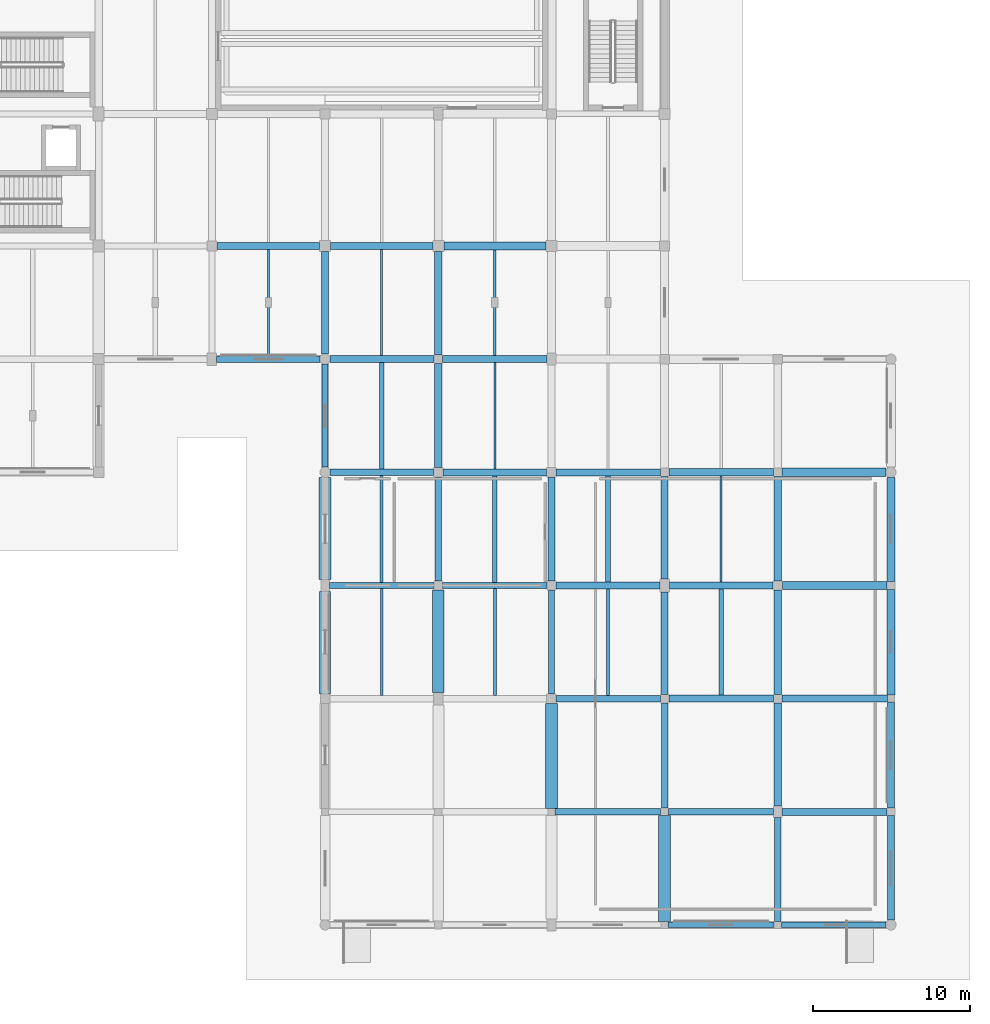
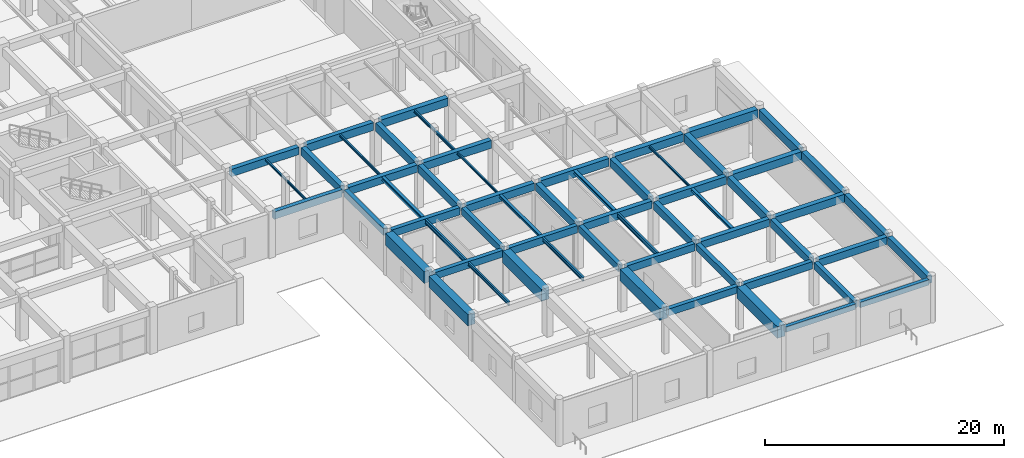
# One storey, part 36 of 72: 60 beams.
"""IFC4 building model written with IfcOpenShell, lengths in metres."""

from ifc_helpers import new_model, si_unit, direction, frame, origin, origin_2d, place, context, subcontext, project, spatial, rectangle, i_section, extrude, material, material_profile, profile_set, type_object, element, save


model = new_model("IFC4")

# Units and contexts
model_context = context("Model", 3, precision=1e-05, world=origin(), true_north=direction((0.0, 1.0)))
body_context = subcontext(model_context, "Body", "Model", "MODEL_VIEW")
ifc_project = project(units=[si_unit("LENGTHUNIT", "METRE"), si_unit("AREAUNIT", "SQUARE_METRE"), si_unit("VOLUMEUNIT", "CUBIC_METRE"), si_unit("PLANEANGLEUNIT", "RADIAN"), si_unit("MASSUNIT", "GRAM", prefix="KILO")], contexts=[model_context])

# Site, building, storey
site_placement = place(None, origin())
site = spatial("IfcSite", under=ifc_project, at=site_placement, CompositionType="ELEMENT")
building_placement = place(site_placement, origin())
building = spatial("IfcBuilding", under=site, at=building_placement, Name="Korsvaeld Concert Hall", CompositionType="ELEMENT")
storey_placement = place(building_placement, origin())
storey = spatial("IfcBuildingStorey", under=building, at=storey_placement, Name="L00", CompositionType="ELEMENT", Elevation=0.0)

# Beams
ifc_material_1 = material(Name="Concrete C35/45", Category="concrete")
ifc_material_profile_1 = material_profile(ifc_material_1, rectangle(XDim=0.39990234375, YDim=0.699951171875, at=origin_2d()), Name="RC 400x700")
ifc_profile_set_1 = profile_set([ifc_material_profile_1], Name="Concrete C35/45")
beam_type_1 = type_object("IfcBeamType", Name="BM-RC-400x700", PredefinedType="T_BEAM", material=ifc_profile_set_1)
beam_1_placement = place(storey_placement, frame((146.625, 7.199951171875, 4.090087890625), z_axis=(1.0, 0.0, 0.0), x_axis=(0.0, 1.0, 0.0)))
element("IfcBeam", 1, at=beam_1_placement, inside=storey, type_object=beam_type_1, Name="Primary girder 20-21/B L00", PredefinedType="T_BEAM", context=body_context, shape_type="SweptSolid", body=[
    extrude(rectangle(XDim=0.39990234375, YDim=0.699951171875, at=origin_2d()), origin(), (0.0, 0.0, 1.0), 6.72509765625),
])
beam_2_placement = place(storey_placement, frame((132.27490234375, 21.60009765625, 4.090087890625), z_axis=(1.0, 0.0, 0.0), x_axis=(0.0, 1.0, 0.0)))
element("IfcBeam", 2, at=beam_2_placement, inside=storey, type_object=beam_type_1, Name="Primary girder 18-19/D L00", PredefinedType="T_BEAM", context=body_context, shape_type="SweptSolid", body=[
    extrude(rectangle(XDim=0.39990234375, YDim=0.699951171875, at=origin_2d()), origin(), (0.0, 0.0, 1.0), 6.650146484375),
])
beam_3_placement = place(storey_placement, frame((132.0, 29.125, 4.090087890625), z_axis=(0.0, 1.0, 0.0), x_axis=(-1.0, 0.0, 0.0)))
element("IfcBeam", 3, at=beam_3_placement, inside=storey, type_object=beam_type_1, Name="Primary girder 18/E-F L00", PredefinedType="T_BEAM", context=body_context, shape_type="SweptSolid", body=[
    extrude(rectangle(XDim=0.39990234375, YDim=0.699951171875, at=origin_2d()), origin(), (0.0, 0.0, 1.0), 6.550048828125),
])
for number, where, z_axis, x_axis, name in (
    (4, (139.199951171875, 21.875, 4.090087890625), (0.0, 1.0, 0.0), (-1.0, 0.0, 0.0), "Primary girder 19/D-E L00"),
    (5, (146.39990234375, 14.699951171875, 4.090087890625), (0.0, 1.0, 0.0), (-1.0, 0.0, 0.0), "Primary girder 20/C-D L00"),
):
    element("IfcBeam", number, at=place(storey_placement, frame(where, z_axis=z_axis, x_axis=x_axis)), inside=storey, type_object=beam_type_1, Name=name, PredefinedType="T_BEAM", context=body_context, shape_type="SweptSolid", body=[
        extrude(rectangle(XDim=0.39990234375, YDim=0.699951171875, at=origin_2d()), origin(), (0.0, 0.0, 1.0), 6.625),
    ])
beam_4_placement = place(storey_placement, frame((153.60009765625, 7.449951171875, 4.090087890625), z_axis=(0.0, 1.0, 0.0), x_axis=(-1.0, 0.0, 0.0)))
element("IfcBeam", 6, at=beam_4_placement, inside=storey, type_object=beam_type_1, Name="Primary girder 21/B-C L00", PredefinedType="T_BEAM", context=body_context, shape_type="SweptSolid", body=[
    extrude(rectangle(XDim=0.39990234375, YDim=0.699951171875, at=origin_2d()), origin(), (0.0, 0.0, 1.0), 6.675048828125),
])
beam_5_placement = place(storey_placement, frame((160.800048828125, 0.22509765625, 4.090087890625), z_axis=(0.0, 1.0, 0.0), x_axis=(-1.0, 0.0, 0.0)))
element("IfcBeam", 7, at=beam_5_placement, inside=storey, type_object=beam_type_1, Name="Primary girder 22/A-B L00", PredefinedType="T_BEAM", context=body_context, shape_type="SweptSolid", body=[
    extrude(rectangle(XDim=0.39990234375, YDim=0.699951171875, at=origin_2d()), origin(), (0.0, 0.0, 1.0), 6.599853515625),
])
ifc_material_profile_2 = material_profile(ifc_material_1, rectangle(XDim=0.39990234375, YDim=0.75, at=origin_2d()), Name="RC 400x750")
ifc_profile_set_2 = profile_set([ifc_material_profile_2], Name="Concrete C35/45")
beam_type_2 = type_object("IfcBeamType", Name="BM-RC-400x750", PredefinedType="T_BEAM", material=ifc_profile_set_2)
beam_6_placement = place(storey_placement, frame((153.85009765625, 7.199951171875, 4.06494140625), z_axis=(1.0, 0.0, 0.0), x_axis=(0.0, 1.0, 0.0)))
element("IfcBeam", 8, at=beam_6_placement, inside=storey, type_object=beam_type_2, Name="Primary girder 21-22/B L00", PredefinedType="T_BEAM", context=body_context, shape_type="SweptSolid", body=[
    extrude(rectangle(XDim=0.39990234375, YDim=0.75, at=origin_2d()), origin(), (0.0, 0.0, 1.0), 6.6748046875),
])
beam_7_placement = place(storey_placement, frame((146.699951171875, 14.39990234375, 4.06494140625), z_axis=(1.0, 0.0, 0.0), x_axis=(0.0, 1.0, 0.0)))
element("IfcBeam", 9, at=beam_7_placement, inside=storey, type_object=beam_type_2, Name="Primary girder 20-21/C L00", PredefinedType="T_BEAM", context=body_context, shape_type="SweptSolid", body=[
    extrude(rectangle(XDim=0.39990234375, YDim=0.75, at=origin_2d()), origin(), (0.0, 0.0, 1.0), 6.625),
])
beam_8_placement = place(storey_placement, frame((139.47509765625, 21.60009765625, 4.06494140625), z_axis=(1.0, 0.0, 0.0), x_axis=(0.0, 1.0, 0.0)))
element("IfcBeam", 10, at=beam_8_placement, inside=storey, type_object=beam_type_2, Name="Primary girder 19-20/D L00", PredefinedType="T_BEAM", context=body_context, shape_type="SweptSolid", body=[
    extrude(rectangle(XDim=0.39990234375, YDim=0.75, at=origin_2d()), origin(), (0.0, 0.0, 1.0), 6.64990234375),
])
for number, where, z_axis, x_axis, name in (
    (11, (132.324951171875, 28.800048828125, 4.06494140625), (1.0, 0.0, 0.0), (0.0, 1.0, 0.0), "Primary girder 18-19/E L00"),
    (12, (125.10009765625, 36.0, 4.06494140625), (1.0, 0.0, 0.0), (0.0, 1.0, 0.0), "Primary girder 17-18/F L00"),
):
    element("IfcBeam", number, at=place(storey_placement, frame(where, z_axis=z_axis, x_axis=x_axis)), inside=storey, type_object=beam_type_2, Name=name, PredefinedType="T_BEAM", context=body_context, shape_type="SweptSolid", body=[
        extrude(rectangle(XDim=0.39990234375, YDim=0.75, at=origin_2d()), origin(), (0.0, 0.0, 1.0), 6.574951171875),
    ])
ifc_material_profile_3 = material_profile(ifc_material_1, rectangle(XDim=0.449951171875, YDim=0.75, at=origin_2d()), Name="RC 450x750")
ifc_profile_set_3 = profile_set([ifc_material_profile_3], Name="Concrete C35/45")
beam_type_3 = type_object("IfcBeamType", Name="BM-RC-450x750", PredefinedType="T_BEAM", material=ifc_profile_set_3)
beam_9_placement = place(storey_placement, frame((161.074951171875, 7.199951171875, 4.06494140625), z_axis=(1.0, 0.0, 0.0), x_axis=(0.0, 1.0, 0.0)))
element("IfcBeam", 13, at=beam_9_placement, inside=storey, type_object=beam_type_3, Name="Primary girder 22-23/B L00", PredefinedType="T_BEAM", context=body_context, shape_type="SweptSolid", body=[
    extrude(rectangle(XDim=0.449951171875, YDim=0.75, at=origin_2d()), origin(), (0.0, 0.0, 1.0), 6.675048828125),
])
beam_10_placement = place(storey_placement, frame((153.875, 14.39990234375, 4.06494140625), z_axis=(1.0, 0.0, 0.0), x_axis=(0.0, 1.0, 0.0)))
element("IfcBeam", 14, at=beam_10_placement, inside=storey, type_object=beam_type_3, Name="Primary girder 21-22/C L00", PredefinedType="T_BEAM", context=body_context, shape_type="SweptSolid", body=[
    extrude(rectangle(XDim=0.449951171875, YDim=0.75, at=origin_2d()), origin(), (0.0, 0.0, 1.0), 6.64990234375),
])
beam_11_placement = place(storey_placement, frame((146.675048828125, 21.60009765625, 4.06494140625), z_axis=(1.0, 0.0, 0.0), x_axis=(0.0, 1.0, 0.0)))
element("IfcBeam", 15, at=beam_11_placement, inside=storey, type_object=beam_type_3, Name="Primary girder 20-21/D L00", PredefinedType="T_BEAM", context=body_context, shape_type="SweptSolid", body=[
    extrude(rectangle(XDim=0.449951171875, YDim=0.75, at=origin_2d()), origin(), (0.0, 0.0, 1.0), 6.625),
])
for number, where, z_axis, x_axis, name in (
    (16, (139.5, 28.800048828125, 4.06494140625), (1.0, 0.0, 0.0), (0.0, 1.0, 0.0), "Primary girder 19-20/E L00"),
    (17, (132.324951171875, 36.0, 4.06494140625), (1.0, 0.0, 0.0), (0.0, 1.0, 0.0), "Primary girder 18-19/F L00"),
):
    element("IfcBeam", number, at=place(storey_placement, frame(where, z_axis=z_axis, x_axis=x_axis)), inside=storey, type_object=beam_type_3, Name=name, PredefinedType="T_BEAM", context=body_context, shape_type="SweptSolid", body=[
        extrude(rectangle(XDim=0.449951171875, YDim=0.75, at=origin_2d()), origin(), (0.0, 0.0, 1.0), 6.60009765625),
    ])
beam_12_placement = place(storey_placement, frame((125.125, 43.199951171875, 4.06494140625), z_axis=(1.0, 0.0, 0.0), x_axis=(0.0, 1.0, 0.0)))
element("IfcBeam", 18, at=beam_12_placement, inside=storey, type_object=beam_type_3, Name="Primary girder 17-18/G L00", PredefinedType="T_BEAM", context=body_context, shape_type="SweptSolid", body=[
    extrude(rectangle(XDim=0.449951171875, YDim=0.75, at=origin_2d()), origin(), (0.0, 0.0, 1.0), 6.52490234375),
])
ifc_material_profile_4 = material_profile(ifc_material_1, rectangle(XDim=0.449951171875, YDim=0.800048828125, at=origin_2d()), Name="RC 450x800")
ifc_profile_set_4 = profile_set([ifc_material_profile_4], Name="Concrete C35/45")
beam_type_4 = type_object("IfcBeamType", Name="BM-RC-450x800", PredefinedType="T_BEAM", material=ifc_profile_set_4)
beam_13_placement = place(storey_placement, frame((161.074951171875, 14.39990234375, 4.0400390625), z_axis=(1.0, 0.0, 0.0), x_axis=(0.0, 1.0, 0.0)))
element("IfcBeam", 19, at=beam_13_placement, inside=storey, type_object=beam_type_4, Name="Primary girder 22-23/C L00", PredefinedType="T_BEAM", context=body_context, shape_type="SweptSolid", body=[
    extrude(rectangle(XDim=0.449951171875, YDim=0.800048828125, at=origin_2d()), origin(), (0.0, 0.0, 1.0), 6.699951171875),
])
beam_14_placement = place(storey_placement, frame((153.89990234375, 21.60009765625, 4.0400390625), z_axis=(1.0, 0.0, 0.0), x_axis=(0.0, 1.0, 0.0)))
element("IfcBeam", 20, at=beam_14_placement, inside=storey, type_object=beam_type_4, Name="Primary girder 21-22/D L00", PredefinedType="T_BEAM", context=body_context, shape_type="SweptSolid", body=[
    extrude(rectangle(XDim=0.449951171875, YDim=0.800048828125, at=origin_2d()), origin(), (0.0, 0.0, 1.0), 6.60009765625),
])
beam_15_placement = place(storey_placement, frame((146.699951171875, 28.800048828125, 4.0400390625), z_axis=(1.0, 0.0, 0.0), x_axis=(0.0, 1.0, 0.0)))
element("IfcBeam", 21, at=beam_15_placement, inside=storey, type_object=beam_type_4, Name="Primary girder 20-21/E L00", PredefinedType="T_BEAM", context=body_context, shape_type="SweptSolid", body=[
    extrude(rectangle(XDim=0.449951171875, YDim=0.800048828125, at=origin_2d()), origin(), (0.0, 0.0, 1.0), 6.625),
])
beam_16_placement = place(storey_placement, frame((139.47509765625, 36.0, 4.0400390625), z_axis=(1.0, 0.0, 0.0), x_axis=(0.0, 1.0, 0.0)))
element("IfcBeam", 22, at=beam_16_placement, inside=storey, type_object=beam_type_4, Name="Primary girder 19-20/F L00", PredefinedType="T_BEAM", context=body_context, shape_type="SweptSolid", body=[
    extrude(rectangle(XDim=0.449951171875, YDim=0.800048828125, at=origin_2d()), origin(), (0.0, 0.0, 1.0), 6.64990234375),
])
beam_17_placement = place(storey_placement, frame((132.35009765625, 43.199951171875, 4.0400390625), z_axis=(1.0, 0.0, 0.0), x_axis=(0.0, 1.0, 0.0)))
element("IfcBeam", 23, at=beam_17_placement, inside=storey, type_object=beam_type_4, Name="Primary girder 18-19/G L00", PredefinedType="T_BEAM", context=body_context, shape_type="SweptSolid", body=[
    extrude(rectangle(XDim=0.449951171875, YDim=0.800048828125, at=origin_2d()), origin(), (0.0, 0.0, 1.0), 6.5),
])
beam_18_placement = place(storey_placement, frame((132.0, 36.324951171875, 4.0400390625), z_axis=(0.0, 1.0, 0.0), x_axis=(-1.0, 0.0, 0.0)))
element("IfcBeam", 24, at=beam_18_placement, inside=storey, type_object=beam_type_4, Name="Primary girder 18/F-G L00", PredefinedType="T_BEAM", context=body_context, shape_type="SweptSolid", body=[
    extrude(rectangle(XDim=0.449951171875, YDim=0.800048828125, at=origin_2d()), origin(), (0.0, 0.0, 1.0), 6.525146484375),
])
for number, where, z_axis, x_axis, name in (
    (25, (139.199951171875, 29.10009765625, 4.0400390625), (0.0, 1.0, 0.0), (-1.0, 0.0, 0.0), "Primary girder 19/E-F L00"),
    (26, (146.39990234375, 21.875, 4.0400390625), (0.0, 1.0, 0.0), (-1.0, 0.0, 0.0), "Primary girder 20/D-E L00"),
):
    element("IfcBeam", number, at=place(storey_placement, frame(where, z_axis=z_axis, x_axis=x_axis)), inside=storey, type_object=beam_type_4, Name=name, PredefinedType="T_BEAM", context=body_context, shape_type="SweptSolid", body=[
        extrude(rectangle(XDim=0.449951171875, YDim=0.800048828125, at=origin_2d()), origin(), (0.0, 0.0, 1.0), 6.625),
    ])
beam_19_placement = place(storey_placement, frame((153.60009765625, 14.675048828125, 4.0400390625), z_axis=(0.0, 1.0, 0.0), x_axis=(-1.0, 0.0, 0.0)))
element("IfcBeam", 27, at=beam_19_placement, inside=storey, type_object=beam_type_4, Name="Primary girder 21/C-D L00", PredefinedType="T_BEAM", context=body_context, shape_type="SweptSolid", body=[
    extrude(rectangle(XDim=0.449951171875, YDim=0.800048828125, at=origin_2d()), origin(), (0.0, 0.0, 1.0), 6.52490234375),
])
beam_20_placement = place(storey_placement, frame((160.800048828125, 7.574951171875, 4.0400390625), z_axis=(0.0, 1.0, 0.0), x_axis=(-1.0, 0.0, 0.0)))
element("IfcBeam", 28, at=beam_20_placement, inside=storey, type_object=beam_type_4, Name="Primary girder 22/B-C L00", PredefinedType="T_BEAM", context=body_context, shape_type="SweptSolid", body=[
    extrude(rectangle(XDim=0.449951171875, YDim=0.800048828125, at=origin_2d()), origin(), (0.0, 0.0, 1.0), 6.550048828125),
])
beam_21_placement = place(storey_placement, frame((168.0, 0.324951171875, 4.0400390625), z_axis=(0.0, 1.0, 0.0), x_axis=(-1.0, 0.0, 0.0)))
element("IfcBeam", 29, at=beam_21_placement, inside=storey, type_object=beam_type_4, Name="Primary girder 23/A-B L00", PredefinedType="T_BEAM", context=body_context, shape_type="SweptSolid", body=[
    extrude(rectangle(XDim=0.449951171875, YDim=0.800048828125, at=origin_2d()), origin(), (0.0, 0.0, 1.0), 6.625),
])
ifc_material_2 = material(Name="Concrete C40/50", Category="concrete")
ifc_material_profile_5 = material_profile(ifc_material_2, rectangle(XDim=0.449951171875, YDim=0.85009765625, at=origin_2d()), Name="RC 450x850")
ifc_profile_set_5 = profile_set([ifc_material_profile_5], Name="Concrete C40/50")
beam_type_5 = type_object("IfcBeamType", Name="BM-RC-450x850", PredefinedType="T_BEAM", material=ifc_profile_set_5)
beam_22_placement = place(storey_placement, frame((139.199951171875, 36.27490234375, 4.014892578125), z_axis=(0.0, 1.0, 0.0), x_axis=(-1.0, 0.0, 0.0)))
element("IfcBeam", 30, at=beam_22_placement, inside=storey, type_object=beam_type_5, Name="Primary girder 19/F-G L00", PredefinedType="T_BEAM", context=body_context, shape_type="SweptSolid", body=[
    extrude(rectangle(XDim=0.449951171875, YDim=0.85009765625, at=origin_2d()), origin(), (0.0, 0.0, 1.0), 6.5751953125),
])
beam_23_placement = place(storey_placement, frame((153.60009765625, 22.0, 4.014892578125), z_axis=(0.0, 1.0, 0.0), x_axis=(-1.0, 0.0, 0.0)))
element("IfcBeam", 31, at=beam_23_placement, inside=storey, type_object=beam_type_5, Name="Primary girder 21/D-E L00", PredefinedType="T_BEAM", context=body_context, shape_type="SweptSolid", body=[
    extrude(rectangle(XDim=0.449951171875, YDim=0.85009765625, at=origin_2d()), origin(), (0.0, 0.0, 1.0), 6.52490234375),
])
beam_24_placement = place(storey_placement, frame((160.800048828125, 14.675048828125, 4.014892578125), z_axis=(0.0, 1.0, 0.0), x_axis=(-1.0, 0.0, 0.0)))
element("IfcBeam", 32, at=beam_24_placement, inside=storey, type_object=beam_type_5, Name="Primary girder 22/C-D L00", PredefinedType="T_BEAM", context=body_context, shape_type="SweptSolid", body=[
    extrude(rectangle(XDim=0.449951171875, YDim=0.85009765625, at=origin_2d()), origin(), (0.0, 0.0, 1.0), 6.625),
])
beam_25_placement = place(storey_placement, frame((168.0, 7.449951171875, 4.014892578125), z_axis=(0.0, 1.0, 0.0), x_axis=(-1.0, 0.0, 0.0)))
element("IfcBeam", 33, at=beam_25_placement, inside=storey, type_object=beam_type_5, Name="Primary girder 23/B-C L00", PredefinedType="T_BEAM", context=body_context, shape_type="SweptSolid", body=[
    extrude(rectangle(XDim=0.449951171875, YDim=0.85009765625, at=origin_2d()), origin(), (0.0, 0.0, 1.0), 6.72509765625),
])
ifc_material_profile_6 = material_profile(ifc_material_2, rectangle(XDim=0.5, YDim=0.800048828125, at=origin_2d()), Name="RC 500x800")
ifc_profile_set_6 = profile_set([ifc_material_profile_6], Name="Concrete C40/50")
beam_type_6 = type_object("IfcBeamType", Name="BM-RC-500x800", PredefinedType="T_BEAM", material=ifc_profile_set_6)
for number, where, z_axis, x_axis, name in (
    (34, (161.10009765625, 21.60009765625, 4.0400390625), (1.0, 0.0, 0.0), (0.0, 1.0, 0.0), "Primary girder 22-23/D L00"),
    (35, (153.875, 28.800048828125, 4.0400390625), (1.0, 0.0, 0.0), (0.0, 1.0, 0.0), "Primary girder 21-22/E L00"),
):
    element("IfcBeam", number, at=place(storey_placement, frame(where, z_axis=z_axis, x_axis=x_axis)), inside=storey, type_object=beam_type_6, Name=name, PredefinedType="T_BEAM", context=body_context, shape_type="SweptSolid", body=[
        extrude(rectangle(XDim=0.5, YDim=0.800048828125, at=origin_2d()), origin(), (0.0, 0.0, 1.0), 6.64990234375),
    ])
beam_26_placement = place(storey_placement, frame((139.550048828125, 43.199951171875, 4.0400390625), z_axis=(1.0, 0.0, 0.0), x_axis=(0.0, 1.0, 0.0)))
element("IfcBeam", 36, at=beam_26_placement, inside=storey, type_object=beam_type_6, Name="Primary girder 19-20/G L00", PredefinedType="T_BEAM", context=body_context, shape_type="SweptSolid", body=[
    extrude(rectangle(XDim=0.5, YDim=0.800048828125, at=origin_2d()), origin(), (0.0, 0.0, 1.0), 6.5),
])
ifc_material_profile_7 = material_profile(ifc_material_2, rectangle(XDim=0.5, YDim=0.85009765625, at=origin_2d()), Name="RC 500x850")
ifc_profile_set_7 = profile_set([ifc_material_profile_7], Name="Concrete C40/50")
beam_type_7 = type_object("IfcBeamType", Name="BM-RC-500x850", PredefinedType="T_BEAM", material=ifc_profile_set_7)
beam_27_placement = place(storey_placement, frame((160.800048828125, 21.89990234375, 4.014892578125), z_axis=(0.0, 1.0, 0.0), x_axis=(-1.0, 0.0, 0.0)))
element("IfcBeam", 37, at=beam_27_placement, inside=storey, type_object=beam_type_7, Name="Primary girder 22/D-E L00", PredefinedType="T_BEAM", context=body_context, shape_type="SweptSolid", body=[
    extrude(rectangle(XDim=0.5, YDim=0.85009765625, at=origin_2d()), origin(), (0.0, 0.0, 1.0), 6.625),
])
beam_28_placement = place(storey_placement, frame((168.0, 14.625, 4.014892578125), z_axis=(0.0, 1.0, 0.0), x_axis=(-1.0, 0.0, 0.0)))
element("IfcBeam", 38, at=beam_28_placement, inside=storey, type_object=beam_type_7, Name="Primary girder 23/C-D L00", PredefinedType="T_BEAM", context=body_context, shape_type="SweptSolid", body=[
    extrude(rectangle(XDim=0.5, YDim=0.85009765625, at=origin_2d()), origin(), (0.0, 0.0, 1.0), 6.72509765625),
])
ifc_material_profile_8 = material_profile(ifc_material_2, rectangle(XDim=0.5, YDim=0.89990234375, at=origin_2d()), Name="RC 500x900")
ifc_profile_set_8 = profile_set([ifc_material_profile_8], Name="Concrete C40/50")
beam_type_8 = type_object("IfcBeamType", Name="BM-RC-500x900", PredefinedType="T_BEAM", material=ifc_profile_set_8)
beam_29_placement = place(storey_placement, frame((168.0, 21.85009765625, 3.989990234375), z_axis=(0.0, 1.0, 0.0), x_axis=(-1.0, 0.0, 0.0)))
element("IfcBeam", 39, at=beam_29_placement, inside=storey, type_object=beam_type_8, Name="Primary girder 23/D-E L00", PredefinedType="T_BEAM", context=body_context, shape_type="SweptSolid", body=[
    extrude(rectangle(XDim=0.5, YDim=0.89990234375, at=origin_2d()), origin(), (0.0, 0.0, 1.0), 6.625),
])
ifc_material_profile_9 = material_profile(ifc_material_2, rectangle(XDim=0.550048828125, YDim=0.89990234375, at=origin_2d()), Name="RC 550x900")
ifc_profile_set_9 = profile_set([ifc_material_profile_9], Name="Concrete C40/50")
beam_type_9 = type_object("IfcBeamType", Name="BM-RC-550x900", PredefinedType="T_BEAM", material=ifc_profile_set_9)
beam_30_placement = place(storey_placement, frame((161.074951171875, 28.800048828125, 3.989990234375), z_axis=(1.0, 0.0, 0.0), x_axis=(0.0, 1.0, 0.0)))
element("IfcBeam", 40, at=beam_30_placement, inside=storey, type_object=beam_type_9, Name="Primary girder 22-23/E L00", PredefinedType="T_BEAM", context=body_context, shape_type="SweptSolid", body=[
    extrude(rectangle(XDim=0.550048828125, YDim=0.89990234375, at=origin_2d()), origin(), (0.0, 0.0, 1.0), 6.60009765625),
])
ifc_material_profile_10 = material_profile(ifc_material_2, rectangle(XDim=0.699951171875, YDim=1.14990234375, at=origin_2d()), Name="RC 700x1150")
ifc_profile_set_10 = profile_set([ifc_material_profile_10], Name="Concrete C40/50")
beam_type_10 = type_object("IfcBeamType", Name="BM-RC-700x1150", PredefinedType="T_BEAM", material=ifc_profile_set_10)
beam_31_placement = place(storey_placement, frame((132.0, 14.699951171875, 3.864990234375), z_axis=(0.0, 1.0, 0.0), x_axis=(-1.0, 0.0, 0.0)))
element("IfcBeam", 41, at=beam_31_placement, inside=storey, type_object=beam_type_10, Name="Primary girder 18/C-D L00", PredefinedType="T_BEAM", context=body_context, shape_type="SweptSolid", body=[
    extrude(rectangle(XDim=0.699951171875, YDim=1.14990234375, at=origin_2d()), origin(), (0.0, 0.0, 1.0), 6.525146484375),
])
ifc_material_profile_11 = material_profile(ifc_material_2, rectangle(XDim=0.75, YDim=1.199951171875, at=origin_2d()), Name="RC 750x1200")
ifc_profile_set_11 = profile_set([ifc_material_profile_11], Name="Concrete C40/50")
beam_type_11 = type_object("IfcBeamType", Name="BM-RC-750x1200", PredefinedType="T_BEAM", material=ifc_profile_set_11)
beam_32_placement = place(storey_placement, frame((132.0, 21.97509765625, 3.840087890625), z_axis=(0.0, 1.0, 0.0), x_axis=(-1.0, 0.0, 0.0)))
element("IfcBeam", 42, at=beam_32_placement, inside=storey, type_object=beam_type_11, Name="Primary girder 18/D-E L00", PredefinedType="T_BEAM", context=body_context, shape_type="SweptSolid", body=[
    extrude(rectangle(XDim=0.75, YDim=1.199951171875, at=origin_2d()), origin(), (0.0, 0.0, 1.0), 6.5),
])
beam_33_placement = place(storey_placement, frame((139.199951171875, 14.800048828125, 3.840087890625), z_axis=(0.0, 1.0, 0.0), x_axis=(-1.0, 0.0, 0.0)))
element("IfcBeam", 43, at=beam_33_placement, inside=storey, type_object=beam_type_11, Name="Primary girder 19/C-D L00", PredefinedType="T_BEAM", context=body_context, shape_type="SweptSolid", body=[
    extrude(rectangle(XDim=0.75, YDim=1.199951171875, at=origin_2d()), origin(), (0.0, 0.0, 1.0), 6.52490234375),
])
beam_34_placement = place(storey_placement, frame((146.39990234375, 7.425048828125, 3.840087890625), z_axis=(0.0, 1.0, 0.0), x_axis=(-1.0, 0.0, 0.0)))
element("IfcBeam", 44, at=beam_34_placement, inside=storey, type_object=beam_type_11, Name="Primary girder 20/B-C L00", PredefinedType="T_BEAM", context=body_context, shape_type="SweptSolid", body=[
    extrude(rectangle(XDim=0.75, YDim=1.199951171875, at=origin_2d()), origin(), (0.0, 0.0, 1.0), 6.675048828125),
])
beam_35_placement = place(storey_placement, frame((153.60009765625, 0.22509765625, 3.840087890625), z_axis=(0.0, 1.0, 0.0), x_axis=(-1.0, 0.0, 0.0)))
element("IfcBeam", 45, at=beam_35_placement, inside=storey, type_object=beam_type_11, Name="Primary girder 21/A-B L00", PredefinedType="T_BEAM", context=body_context, shape_type="SweptSolid", body=[
    extrude(rectangle(XDim=0.75, YDim=1.199951171875, at=origin_2d()), origin(), (0.0, 0.0, 1.0), 6.724853515625),
])
ifc_material_profile_12 = material_profile(ifc_material_1, rectangle(XDim=0.35009765625, YDim=0.550048828125, at=origin_2d()), Name="RC 350x550")
ifc_profile_set_12 = profile_set([ifc_material_profile_12], Name="Concrete C35/45")
beam_type_12 = type_object("IfcBeamType", Name="BM-SP-350x550", PredefinedType="SPANDREL", material=ifc_profile_set_12)
beam_36_placement = place(storey_placement, frame((153.824951171875, 0.0, 4.1650390625), z_axis=(1.0, 0.0, 0.0), x_axis=(0.0, 1.0, 0.0)))
element("IfcBeam", 46, at=beam_36_placement, inside=storey, type_object=beam_type_12, Name="Primary girder 21-22/A L00", PredefinedType="SPANDREL", context=body_context, shape_type="SweptSolid", body=[
    extrude(rectangle(XDim=0.35009765625, YDim=0.550048828125, at=origin_2d()), origin(), (0.0, 0.0, 1.0), 6.75),
])
beam_37_placement = place(storey_placement, frame((161.02490234375, 0.0, 4.1650390625), z_axis=(1.0, 0.0, 0.0), x_axis=(0.0, 1.0, 0.0)))
element("IfcBeam", 47, at=beam_37_placement, inside=storey, type_object=beam_type_12, Name="Primary girder 22-23/A L00", PredefinedType="SPANDREL", context=body_context, shape_type="SweptSolid", body=[
    extrude(rectangle(XDim=0.35009765625, YDim=0.550048828125, at=origin_2d()), origin(), (0.0, 0.0, 1.0), 6.650146484375),
])
ifc_material_3 = material(Name="Steel S355J2", Category="steel")
ifc_material_profile_13 = material_profile(ifc_material_3, i_section(OverallWidth=0.280029296875, OverallDepth=0.27001953125, WebThickness=0.008056640625, FlangeThickness=0.012939453125, FilletRadius=0.02392578125, at=origin_2d()), Name="HEA 280")
ifc_profile_set_13 = profile_set([ifc_material_profile_13], Name="Steel S355J2")
beam_type_13 = type_object("IfcBeamType", Name="BM-STL-HEA280", PredefinedType="BEAM", material=ifc_profile_set_13)
beam_38_placement = place(storey_placement, frame((142.800048828125, 21.800048828125, 4.304931640625), z_axis=(0.0, 1.0, 0.0), x_axis=(-1.0, 0.0, 0.0)))
element("IfcBeam", 48, at=beam_38_placement, inside=storey, type_object=beam_type_13, Name="Secondary steel floor beam 19-20/D L00", PredefinedType="BEAM", context=body_context, shape_type="SweptSolid", body=[
    extrude(i_section(OverallWidth=0.280029296875, OverallDepth=0.27001953125, WebThickness=0.008056640625, FlangeThickness=0.012939453125, FilletRadius=0.02392578125, at=origin_2d()), origin(), (0.0, 0.0, 1.0), 6.77490234375),
])
beam_39_placement = place(storey_placement, frame((157.199951171875, 14.625, 4.304931640625), z_axis=(0.0, 1.0, 0.0), x_axis=(-1.0, 0.0, 0.0)))
element("IfcBeam", 49, at=beam_39_placement, inside=storey, type_object=beam_type_13, Name="Secondary steel floor beam 21-22/C L00", PredefinedType="BEAM", context=body_context, shape_type="SweptSolid", body=[
    extrude(i_section(OverallWidth=0.280029296875, OverallDepth=0.27001953125, WebThickness=0.008056640625, FlangeThickness=0.012939453125, FilletRadius=0.02392578125, at=origin_2d()), origin(), (0.0, 0.0, 1.0), 6.75),
])
ifc_material_profile_14 = material_profile(ifc_material_3, i_section(OverallWidth=0.300048828125, OverallDepth=0.35009765625, WebThickness=0.010009765625, FlangeThickness=0.017578125, FilletRadius=0.027099609375, at=origin_2d()), Name="HEA 360")
ifc_profile_set_14 = profile_set([ifc_material_profile_14], Name="Steel S355J2")
beam_type_14 = type_object("IfcBeamType", Name="BM-STL-HEA360", PredefinedType="BEAM", material=ifc_profile_set_14)
beam_40_placement = place(storey_placement, frame((135.60009765625, 29.0, 4.264892578125), z_axis=(0.0, 1.0, 0.0), x_axis=(-1.0, 0.0, 0.0)))
element("IfcBeam", 50, at=beam_40_placement, inside=storey, type_object=beam_type_14, Name="Secondary steel floor beam 18-19/E L00", PredefinedType="BEAM", context=body_context, shape_type="SweptSolid", body=[
    extrude(i_section(OverallWidth=0.300048828125, OverallDepth=0.35009765625, WebThickness=0.010009765625, FlangeThickness=0.017578125, FilletRadius=0.027099609375, at=origin_2d()), origin(), (0.0, 0.0, 1.0), 6.77490234375),
])
beam_41_placement = place(storey_placement, frame((150.0, 21.824951171875, 4.264892578125), z_axis=(0.0, 1.0, 0.0), x_axis=(-1.0, 0.0, 0.0)))
element("IfcBeam", 51, at=beam_41_placement, inside=storey, type_object=beam_type_14, Name="Secondary steel floor beam 20-21/D L00", PredefinedType="BEAM", context=body_context, shape_type="SweptSolid", body=[
    extrude(i_section(OverallWidth=0.300048828125, OverallDepth=0.35009765625, WebThickness=0.010009765625, FlangeThickness=0.017578125, FilletRadius=0.027099609375, at=origin_2d()), origin(), (0.0, 0.0, 1.0), 6.75),
])
ifc_material_profile_15 = material_profile(ifc_material_3, i_section(OverallWidth=0.1201171875, OverallDepth=0.239990234375, WebThickness=0.006103515625, FlangeThickness=0.009765625, FilletRadius=0.014892578125, at=origin_2d()), Name="IPE 240")
ifc_profile_set_15 = profile_set([ifc_material_profile_15], Name="Steel S355J2")
beam_type_15 = type_object("IfcBeamType", Name="BM-STL-IPE240", PredefinedType="JOIST", material=ifc_profile_set_15)
beam_42_placement = place(storey_placement, frame((128.39990234375, 36.199951171875, 4.320068359375), z_axis=(0.0, 1.0, 0.0), x_axis=(-1.0, 0.0, 0.0)))
element("IfcBeam", 52, at=beam_42_placement, inside=storey, type_object=beam_type_15, Name="Secondary steel floor beam 17-18/F L00", PredefinedType="JOIST", context=body_context, shape_type="SweptSolid", body=[
    extrude(i_section(OverallWidth=0.1201171875, OverallDepth=0.239990234375, WebThickness=0.006103515625, FlangeThickness=0.009765625, FilletRadius=0.014892578125, at=origin_2d()), origin(), (0.0, 0.0, 1.0), 6.775146484375),
])
beam_43_placement = place(storey_placement, frame((142.800048828125, 29.02490234375, 4.320068359375), z_axis=(0.0, 1.0, 0.0), x_axis=(-1.0, 0.0, 0.0)))
element("IfcBeam", 53, at=beam_43_placement, inside=storey, type_object=beam_type_15, Name="Secondary steel floor beam 19-20/E L00", PredefinedType="JOIST", context=body_context, shape_type="SweptSolid", body=[
    extrude(i_section(OverallWidth=0.1201171875, OverallDepth=0.239990234375, WebThickness=0.006103515625, FlangeThickness=0.009765625, FilletRadius=0.014892578125, at=origin_2d()), origin(), (0.0, 0.0, 1.0), 6.75),
])
beam_44_placement = place(storey_placement, frame((157.199951171875, 21.824951171875, 4.320068359375), z_axis=(0.0, 1.0, 0.0), x_axis=(-1.0, 0.0, 0.0)))
element("IfcBeam", 54, at=beam_44_placement, inside=storey, type_object=beam_type_15, Name="Secondary steel floor beam 21-22/D L00", PredefinedType="JOIST", context=body_context, shape_type="SweptSolid", body=[
    extrude(i_section(OverallWidth=0.1201171875, OverallDepth=0.239990234375, WebThickness=0.006103515625, FlangeThickness=0.009765625, FilletRadius=0.014892578125, at=origin_2d()), origin(), (0.0, 0.0, 1.0), 6.72509765625),
])
ifc_material_profile_16 = material_profile(ifc_material_3, i_section(OverallWidth=0.135009765625, OverallDepth=0.27001953125, WebThickness=0.006591796875, FlangeThickness=0.01025390625, FilletRadius=0.014892578125, at=origin_2d()), Name="IPE 270")
ifc_profile_set_16 = profile_set([ifc_material_profile_16], Name="Steel S355J2")
beam_type_16 = type_object("IfcBeamType", Name="BM-STL-IPE270", PredefinedType="JOIST", material=ifc_profile_set_16)
beam_45_placement = place(storey_placement, frame((135.60009765625, 36.22509765625, 4.304931640625), z_axis=(0.0, 1.0, 0.0), x_axis=(-1.0, 0.0, 0.0)))
element("IfcBeam", 55, at=beam_45_placement, inside=storey, type_object=beam_type_16, Name="Secondary steel floor beam 18-19/F L00", PredefinedType="JOIST", context=body_context, shape_type="SweptSolid", body=[
    extrude(i_section(OverallWidth=0.135009765625, OverallDepth=0.27001953125, WebThickness=0.006591796875, FlangeThickness=0.01025390625, FilletRadius=0.014892578125, at=origin_2d()), origin(), (0.0, 0.0, 1.0), 6.75),
])
ifc_material_profile_17 = material_profile(ifc_material_3, i_section(OverallWidth=0.14990234375, OverallDepth=0.300048828125, WebThickness=0.007080078125, FlangeThickness=0.0107421875, FilletRadius=0.014892578125, at=origin_2d()), Name="IPE 300")
ifc_profile_set_17 = profile_set([ifc_material_profile_17], Name="Steel S355J2")
beam_type_17 = type_object("IfcBeamType", Name="BM-STL-IPE300", PredefinedType="JOIST", material=ifc_profile_set_17)
beam_46_placement = place(storey_placement, frame((142.800048828125, 36.22509765625, 4.2900390625), z_axis=(0.0, 1.0, 0.0), x_axis=(-1.0, 0.0, 0.0)))
element("IfcBeam", 56, at=beam_46_placement, inside=storey, type_object=beam_type_17, Name="Secondary steel floor beam 19-20/F L00", PredefinedType="JOIST", context=body_context, shape_type="SweptSolid", body=[
    extrude(i_section(OverallWidth=0.14990234375, OverallDepth=0.300048828125, WebThickness=0.007080078125, FlangeThickness=0.0107421875, FilletRadius=0.014892578125, at=origin_2d()), origin(), (0.0, 0.0, 1.0), 6.724853515625),
])
ifc_material_profile_18 = material_profile(ifc_material_3, i_section(OverallWidth=0.169921875, OverallDepth=0.360107421875, WebThickness=0.008056640625, FlangeThickness=0.0126953125, FilletRadius=0.01806640625, at=origin_2d()), Name="IPE 360")
ifc_profile_set_18 = profile_set([ifc_material_profile_18], Name="Steel S355J2")
beam_type_18 = type_object("IfcBeamType", Name="BM-STL-IPE360", PredefinedType="BEAM", material=ifc_profile_set_18)
beam_47_placement = place(storey_placement, frame((135.60009765625, 14.60009765625, 4.260009765625), z_axis=(0.0, 1.0, 0.0), x_axis=(-1.0, 0.0, 0.0)))
element("IfcBeam", 57, at=beam_47_placement, inside=storey, type_object=beam_type_18, Name="Secondary steel floor beam 18-19/C L00", PredefinedType="BEAM", context=body_context, shape_type="SweptSolid", body=[
    extrude(i_section(OverallWidth=0.169921875, OverallDepth=0.360107421875, WebThickness=0.008056640625, FlangeThickness=0.0126953125, FilletRadius=0.01806640625, at=origin_2d()), origin(), (0.0, 0.0, 1.0), 6.7998046875),
])
ifc_material_profile_19 = material_profile(ifc_material_3, i_section(OverallWidth=0.179931640625, OverallDepth=0.39990234375, WebThickness=0.008544921875, FlangeThickness=0.013427734375, FilletRadius=0.02099609375, at=origin_2d()), Name="IPE 400")
ifc_profile_set_19 = profile_set([ifc_material_profile_19], Name="Steel S355J2")
beam_type_19 = type_object("IfcBeamType", Name="BM-STL-IPE400", PredefinedType="BEAM", material=ifc_profile_set_19)
beam_48_placement = place(storey_placement, frame((142.800048828125, 14.60009765625, 4.239990234375), z_axis=(0.0, 1.0, 0.0), x_axis=(-1.0, 0.0, 0.0)))
element("IfcBeam", 58, at=beam_48_placement, inside=storey, type_object=beam_type_19, Name="Secondary steel floor beam 19-20/C L00", PredefinedType="BEAM", context=body_context, shape_type="SweptSolid", body=[
    extrude(i_section(OverallWidth=0.179931640625, OverallDepth=0.39990234375, WebThickness=0.008544921875, FlangeThickness=0.013427734375, FilletRadius=0.02099609375, at=origin_2d()), origin(), (0.0, 0.0, 1.0), 6.7998046875),
])
ifc_material_profile_20 = material_profile(ifc_material_3, i_section(OverallWidth=0.18994140625, OverallDepth=0.449951171875, WebThickness=0.009521484375, FlangeThickness=0.0146484375, FilletRadius=0.02099609375, at=origin_2d()), Name="IPE 450")
ifc_profile_set_20 = profile_set([ifc_material_profile_20], Name="Steel S355J2")
beam_type_20 = type_object("IfcBeamType", Name="BM-STL-IPE450", PredefinedType="BEAM", material=ifc_profile_set_20)
beam_49_placement = place(storey_placement, frame((135.60009765625, 21.800048828125, 4.215087890625), z_axis=(0.0, 1.0, 0.0), x_axis=(-1.0, 0.0, 0.0)))
element("IfcBeam", 59, at=beam_49_placement, inside=storey, type_object=beam_type_20, Name="Secondary steel floor beam 18-19/D L00", PredefinedType="BEAM", context=body_context, shape_type="SweptSolid", body=[
    extrude(i_section(OverallWidth=0.18994140625, OverallDepth=0.449951171875, WebThickness=0.009521484375, FlangeThickness=0.0146484375, FilletRadius=0.02099609375, at=origin_2d()), origin(), (0.0, 0.0, 1.0), 6.800048828125),
])
beam_50_placement = place(storey_placement, frame((150.0, 14.60009765625, 4.215087890625), z_axis=(0.0, 1.0, 0.0), x_axis=(-1.0, 0.0, 0.0)))
element("IfcBeam", 60, at=beam_50_placement, inside=storey, type_object=beam_type_20, Name="Secondary steel floor beam 20-21/C L00", PredefinedType="BEAM", context=body_context, shape_type="SweptSolid", body=[
    extrude(i_section(OverallWidth=0.18994140625, OverallDepth=0.449951171875, WebThickness=0.009521484375, FlangeThickness=0.0146484375, FilletRadius=0.02099609375, at=origin_2d()), origin(), (0.0, 0.0, 1.0), 6.77490234375),
])

save(model, "model.ifc")
